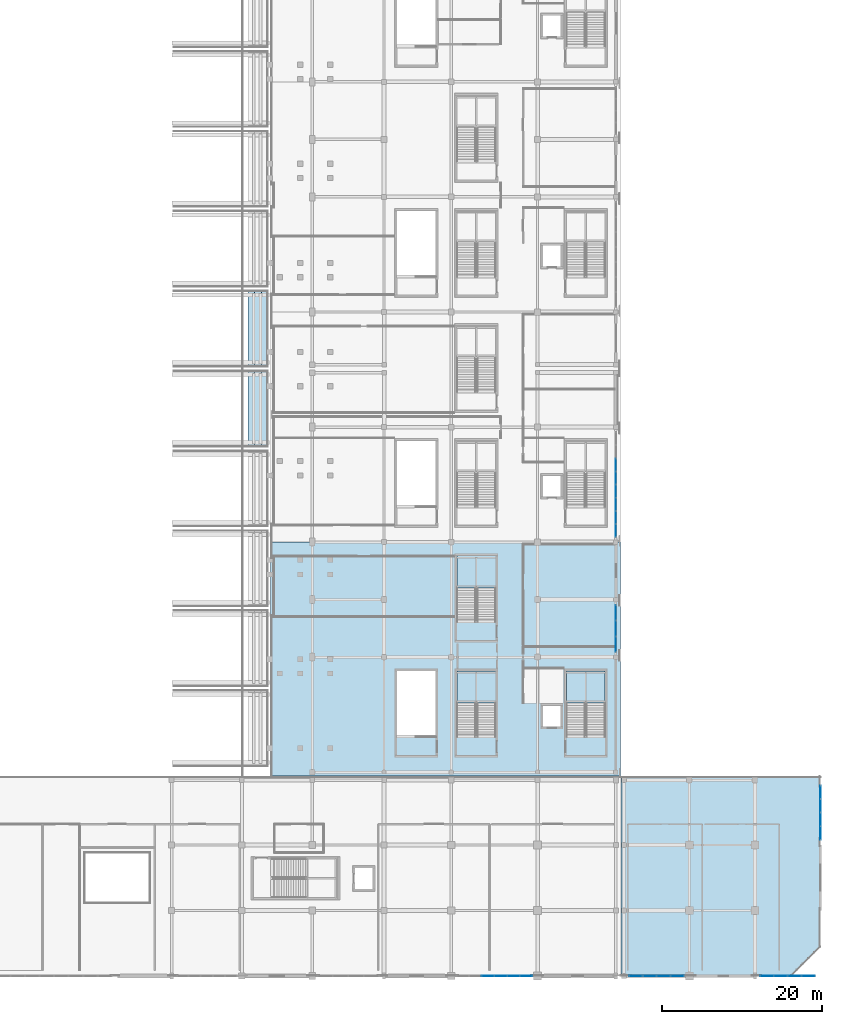
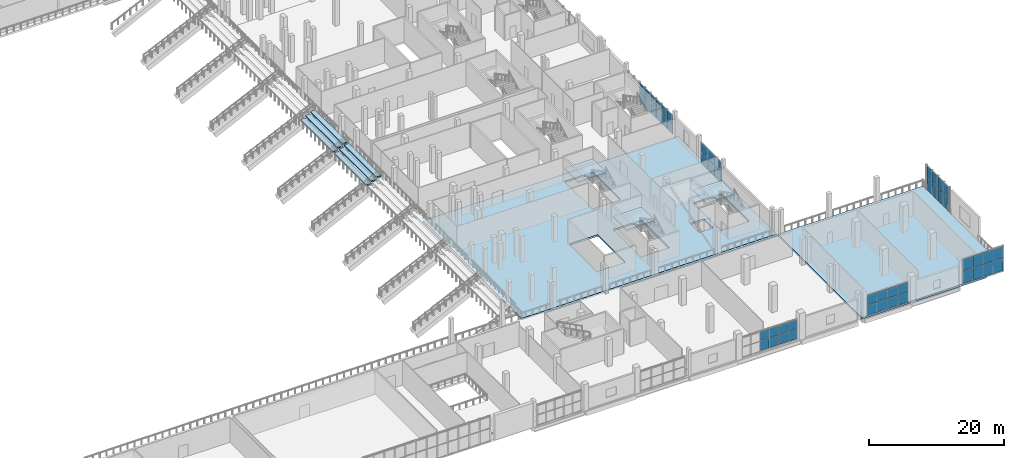
# One storey, part 64 of 129: 50 plates, 11 slabs, 9 elements without a shape of their own.
"""IFC4 building model written with IfcOpenShell, lengths in metres."""

from ifc_helpers import new_model, si_unit, direction, frame, origin, origin_2d, place, context, subcontext, project, spatial, polyline, rectangle, outline, extrude, material, layer, layer_set, type_object, element, aggregate, save


model = new_model("IFC4")

# Units and contexts
model_context = context("Model", 3, precision=1e-05, world=origin(), true_north=direction((0.0, 1.0)))
body_context = subcontext(model_context, "Body", "Model", "MODEL_VIEW")
ifc_project = project(units=[si_unit("LENGTHUNIT", "METRE"), si_unit("AREAUNIT", "SQUARE_METRE"), si_unit("VOLUMEUNIT", "CUBIC_METRE"), si_unit("PLANEANGLEUNIT", "RADIAN"), si_unit("MASSUNIT", "GRAM", prefix="KILO")], contexts=[model_context])

# Site, building, storey
site_placement = place(None, origin())
site = spatial("IfcSite", under=ifc_project, at=site_placement, CompositionType="ELEMENT")
building_placement = place(site_placement, origin())
building = spatial("IfcBuilding", under=site, at=building_placement, Name="Koshinbarg Plaza Stadium", CompositionType="ELEMENT")
storey_placement = place(building_placement, frame((0.0, 0.0, 5.39990234375)))
storey = spatial("IfcBuildingStorey", under=building, at=storey_placement, Name="L01", CompositionType="ELEMENT", Elevation=5.39990234375)

# Curtain wall, plates
ifc_material_1 = material(Name="Thermally broken anodised aluminium and low-E double glazing", Category="aluminium")
curtain_wall_type_1 = type_object("IfcCurtainWallType", Name="CW-SYS-07", PredefinedType="NOTDEFINED", material=ifc_material_1)
curtain_wall_1_placement = place(storey_placement, origin())
curtain_wall_1 = element("IfcCurtainWall", 1, at=curtain_wall_1_placement, inside=storey, type_object=curtain_wall_type_1, Name="L01 unitised curtain wall CW-L01-022", PredefinedType="NOTDEFINED")
ifc_material_2 = material(Name="Solar-control low-E double glazing unit", Category="glass")
ifc_layer_1 = layer(ifc_material_2, 0.028076171875)
ifc_layer_set_1 = layer_set([ifc_layer_1], Name="Solar-control low-E double glazing unit")
plate_type_1 = type_object("IfcPlateType", Name="CW-PNL-28", PredefinedType="CURTAIN_PANEL", material=ifc_layer_set_1)
plate_1_placement = place(storey_placement, frame((218.39990234375, 63.967529296875, 0.06005859375), z_axis=(0.0, 0.0, 1.0), x_axis=(0.0, -1.0, 0.0)))
plate_1 = element("IfcPlate", 2, at=plate_1_placement, type_object=plate_type_1, Name="CW07 panel 3.1", PredefinedType="CURTAIN_PANEL", context=body_context, shape_type="SweptSolid", body=[
    extrude(rectangle(XDim=1.5849609375, YDim=0.028076171875, at=origin_2d()), origin(), (0.0, 0.0, 1.0), 1.771484375),
])
plate_2_placement = place(storey_placement, frame((218.39990234375, 63.967529296875, 1.8916015625), z_axis=(0.0, 0.0, 1.0), x_axis=(0.0, -1.0, 0.0)))
plate_2 = element("IfcPlate", 3, at=plate_2_placement, type_object=plate_type_1, Name="CW07 panel 3.2", PredefinedType="CURTAIN_PANEL", context=body_context, shape_type="SweptSolid", body=[
    extrude(rectangle(XDim=1.5849609375, YDim=0.028076171875, at=origin_2d()), origin(), (0.0, 0.0, 1.0), 1.62841796875),
])
plate_3_placement = place(storey_placement, frame((218.39990234375, 62.322509765625, 0.06005859375), z_axis=(0.0, 0.0, 1.0), x_axis=(0.0, -1.0, 0.0)))
plate_3 = element("IfcPlate", 4, at=plate_3_placement, type_object=plate_type_1, Name="CW07 panel 4.1", PredefinedType="CURTAIN_PANEL", context=body_context, shape_type="SweptSolid", body=[
    extrude(rectangle(XDim=1.5849609375, YDim=0.028076171875, at=origin_2d()), origin(), (0.0, 0.0, 1.0), 1.771484375),
])
plate_4_placement = place(storey_placement, frame((218.39990234375, 62.322509765625, 1.8916015625), z_axis=(0.0, 0.0, 1.0), x_axis=(0.0, -1.0, 0.0)))
plate_4 = element("IfcPlate", 5, at=plate_4_placement, type_object=plate_type_1, Name="CW07 panel 4.2", PredefinedType="CURTAIN_PANEL", context=body_context, shape_type="SweptSolid", body=[
    extrude(rectangle(XDim=1.5849609375, YDim=0.028076171875, at=origin_2d()), origin(), (0.0, 0.0, 1.0), 1.62841796875),
])
plate_5_placement = place(storey_placement, frame((218.39990234375, 60.677490234375, 0.06005859375), z_axis=(0.0, 0.0, 1.0), x_axis=(0.0, -1.0, 0.0)))
plate_5 = element("IfcPlate", 6, at=plate_5_placement, type_object=plate_type_1, Name="CW07 panel 5.1", PredefinedType="CURTAIN_PANEL", context=body_context, shape_type="SweptSolid", body=[
    extrude(rectangle(XDim=1.5849609375, YDim=0.028076171875, at=origin_2d()), origin(), (0.0, 0.0, 1.0), 1.771484375),
])
plate_6_placement = place(storey_placement, frame((218.39990234375, 60.677490234375, 1.8916015625), z_axis=(0.0, 0.0, 1.0), x_axis=(0.0, -1.0, 0.0)))
plate_6 = element("IfcPlate", 7, at=plate_6_placement, type_object=plate_type_1, Name="CW07 panel 5.2", PredefinedType="CURTAIN_PANEL", context=body_context, shape_type="SweptSolid", body=[
    extrude(rectangle(XDim=1.5849609375, YDim=0.028076171875, at=origin_2d()), origin(), (0.0, 0.0, 1.0), 1.62841796875),
])
plate_7_placement = place(storey_placement, frame((218.39990234375, 59.032470703125, 0.06005859375), z_axis=(0.0, 0.0, 1.0), x_axis=(0.0, -1.0, 0.0)))
plate_7 = element("IfcPlate", 8, at=plate_7_placement, type_object=plate_type_1, Name="CW07 panel 6.1", PredefinedType="CURTAIN_PANEL", context=body_context, shape_type="SweptSolid", body=[
    extrude(rectangle(XDim=1.5849609375, YDim=0.028076171875, at=origin_2d()), origin(), (0.0, 0.0, 1.0), 1.771484375),
])
plate_8_placement = place(storey_placement, frame((218.39990234375, 59.032470703125, 1.8916015625), z_axis=(0.0, 0.0, 1.0), x_axis=(0.0, -1.0, 0.0)))
plate_8 = element("IfcPlate", 9, at=plate_8_placement, type_object=plate_type_1, Name="CW07 panel 6.2", PredefinedType="CURTAIN_PANEL", context=body_context, shape_type="SweptSolid", body=[
    extrude(rectangle(XDim=1.5849609375, YDim=0.028076171875, at=origin_2d()), origin(), (0.0, 0.0, 1.0), 1.62841796875),
])
plate_9_placement = place(storey_placement, frame((218.39990234375, 57.387451171875, 0.06005859375), z_axis=(0.0, 0.0, 1.0), x_axis=(0.0, -1.0, 0.0)))
plate_9 = element("IfcPlate", 10, at=plate_9_placement, type_object=plate_type_1, Name="CW07 panel 7.1", PredefinedType="CURTAIN_PANEL", context=body_context, shape_type="SweptSolid", body=[
    extrude(rectangle(XDim=1.5849609375, YDim=0.028076171875, at=origin_2d()), origin(), (0.0, 0.0, 1.0), 1.771484375),
])
plate_10_placement = place(storey_placement, frame((218.39990234375, 57.387451171875, 1.8916015625), z_axis=(0.0, 0.0, 1.0), x_axis=(0.0, -1.0, 0.0)))
plate_10 = element("IfcPlate", 11, at=plate_10_placement, type_object=plate_type_1, Name="CW07 panel 7.2", PredefinedType="CURTAIN_PANEL", context=body_context, shape_type="SweptSolid", body=[
    extrude(rectangle(XDim=1.5849609375, YDim=0.028076171875, at=origin_2d()), origin(), (0.0, 0.0, 1.0), 1.62841796875),
])
plate_11_placement = place(storey_placement, frame((218.39990234375, 55.757568359375, 0.06005859375), z_axis=(0.0, 0.0, 1.0), x_axis=(0.0, -1.0, 0.0)))
plate_11 = element("IfcPlate", 12, at=plate_11_placement, type_object=plate_type_1, Name="CW07 panel 8.1", PredefinedType="CURTAIN_PANEL", context=body_context, shape_type="SweptSolid", body=[
    extrude(rectangle(XDim=1.554931640625, YDim=0.028076171875, at=origin_2d()), origin(), (0.0, 0.0, 1.0), 1.771484375),
])
plate_12_placement = place(storey_placement, frame((218.39990234375, 55.757568359375, 1.8916015625), z_axis=(0.0, 0.0, 1.0), x_axis=(0.0, -1.0, 0.0)))
plate_12 = element("IfcPlate", 13, at=plate_12_placement, type_object=plate_type_1, Name="CW07 panel 8.2", PredefinedType="CURTAIN_PANEL", context=body_context, shape_type="SweptSolid", body=[
    extrude(rectangle(XDim=1.554931640625, YDim=0.028076171875, at=origin_2d()), origin(), (0.0, 0.0, 1.0), 1.62841796875),
])
aggregate(curtain_wall_1, [plate_1, plate_2, plate_3, plate_4, plate_5, plate_6, plate_7, plate_8, plate_9, plate_10, plate_11, plate_12])

curtain_wall_type_2 = type_object("IfcCurtainWallType", Name="CW-SYS-11", PredefinedType="NOTDEFINED", material=ifc_material_1)
curtain_wall_2_placement = place(storey_placement, origin())
curtain_wall_2 = element("IfcCurtainWall", 14, at=curtain_wall_2_placement, inside=storey, type_object=curtain_wall_type_2, Name="L01 unitised curtain wall CW-L01-026", PredefinedType="NOTDEFINED")
plate_13_placement = place(storey_placement, frame((242.4951171875, 0.0, 0.06005859375), z_axis=(0.0, 0.0, 1.0), x_axis=(-1.0, 0.0, 0.0)))
plate_13 = element("IfcPlate", 15, at=plate_13_placement, type_object=plate_type_1, Name="CW11 panel 1.1", PredefinedType="CURTAIN_PANEL", context=body_context, shape_type="SweptSolid", body=[
    extrude(rectangle(XDim=1.64990234375, YDim=0.028076171875, at=origin_2d()), origin(), (0.0, 0.0, 1.0), 2.239501953125),
])
plate_14_placement = place(storey_placement, frame((242.4951171875, 0.0, 2.35986328125), z_axis=(0.0, 0.0, 1.0), x_axis=(-1.0, 0.0, 0.0)))
plate_14 = element("IfcPlate", 16, at=plate_14_placement, type_object=plate_type_1, Name="CW11 panel 1.2", PredefinedType="CURTAIN_PANEL", context=body_context, shape_type="SweptSolid", body=[
    extrude(rectangle(XDim=1.64990234375, YDim=0.028076171875, at=origin_2d()), origin(), (0.0, 0.0, 1.0), 2.060302734375),
])
plate_15_placement = place(storey_placement, frame((240.77001953125, 0.0, 0.06005859375), z_axis=(0.0, 0.0, 1.0), x_axis=(-1.0, 0.0, 0.0)))
plate_15 = element("IfcPlate", 17, at=plate_15_placement, type_object=plate_type_1, Name="CW11 panel 2.1", PredefinedType="CURTAIN_PANEL", context=body_context, shape_type="SweptSolid", body=[
    extrude(rectangle(XDim=1.679931640625, YDim=0.028076171875, at=origin_2d()), origin(), (0.0, 0.0, 1.0), 2.239501953125),
])
plate_16_placement = place(storey_placement, frame((240.77001953125, 0.0, 2.35986328125), z_axis=(0.0, 0.0, 1.0), x_axis=(-1.0, 0.0, 0.0)))
plate_16 = element("IfcPlate", 18, at=plate_16_placement, type_object=plate_type_1, Name="CW11 panel 2.2", PredefinedType="CURTAIN_PANEL", context=body_context, shape_type="SweptSolid", body=[
    extrude(rectangle(XDim=1.679931640625, YDim=0.028076171875, at=origin_2d()), origin(), (0.0, 0.0, 1.0), 2.060302734375),
])
plate_17_placement = place(storey_placement, frame((239.030029296875, 0.0, 0.06005859375), z_axis=(0.0, 0.0, 1.0), x_axis=(-1.0, 0.0, 0.0)))
plate_17 = element("IfcPlate", 19, at=plate_17_placement, type_object=plate_type_1, Name="CW11 panel 3.1", PredefinedType="CURTAIN_PANEL", context=body_context, shape_type="SweptSolid", body=[
    extrude(rectangle(XDim=1.679931640625, YDim=0.028076171875, at=origin_2d()), origin(), (0.0, 0.0, 1.0), 2.239501953125),
])
plate_18_placement = place(storey_placement, frame((239.030029296875, 0.0, 2.35986328125), z_axis=(0.0, 0.0, 1.0), x_axis=(-1.0, 0.0, 0.0)))
plate_18 = element("IfcPlate", 20, at=plate_18_placement, type_object=plate_type_1, Name="CW11 panel 3.2", PredefinedType="CURTAIN_PANEL", context=body_context, shape_type="SweptSolid", body=[
    extrude(rectangle(XDim=1.679931640625, YDim=0.028076171875, at=origin_2d()), origin(), (0.0, 0.0, 1.0), 2.060302734375),
])
plate_19_placement = place(storey_placement, frame((237.304931640625, 0.0, 0.06005859375), z_axis=(0.0, 0.0, 1.0), x_axis=(-1.0, 0.0, 0.0)))
plate_19 = element("IfcPlate", 21, at=plate_19_placement, type_object=plate_type_1, Name="CW11 panel 4.1", PredefinedType="CURTAIN_PANEL", context=body_context, shape_type="SweptSolid", body=[
    extrude(rectangle(XDim=1.64990234375, YDim=0.028076171875, at=origin_2d()), origin(), (0.0, 0.0, 1.0), 2.239501953125),
])
plate_20_placement = place(storey_placement, frame((237.304931640625, 0.0, 2.35986328125), z_axis=(0.0, 0.0, 1.0), x_axis=(-1.0, 0.0, 0.0)))
plate_20 = element("IfcPlate", 22, at=plate_20_placement, type_object=plate_type_1, Name="CW11 panel 4.2", PredefinedType="CURTAIN_PANEL", context=body_context, shape_type="SweptSolid", body=[
    extrude(rectangle(XDim=1.64990234375, YDim=0.028076171875, at=origin_2d()), origin(), (0.0, 0.0, 1.0), 2.060302734375),
])
aggregate(curtain_wall_2, [plate_13, plate_14, plate_15, plate_16, plate_17, plate_18, plate_19, plate_20])

curtain_wall_type_3 = type_object("IfcCurtainWallType", Name="CW-SYS-13", PredefinedType="NOTDEFINED", material=ifc_material_1)
curtain_wall_3_placement = place(storey_placement, origin())
curtain_wall_3 = element("IfcCurtainWall", 23, at=curtain_wall_3_placement, inside=storey, type_object=curtain_wall_type_3, Name="L01 unitised curtain wall CW-L01-028", PredefinedType="NOTDEFINED")
plate_21_placement = place(storey_placement, frame((207.168212890625, 0.0, 0.06005859375), z_axis=(0.0, 0.0, 1.0), x_axis=(-1.0, 0.0, 0.0)))
plate_21 = element("IfcPlate", 24, at=plate_21_placement, type_object=plate_type_1, Name="CW13 panel 1.1", PredefinedType="CURTAIN_PANEL", context=body_context, shape_type="SweptSolid", body=[
    extrude(rectangle(XDim=1.50341796875, YDim=0.028076171875, at=origin_2d()), origin(), (0.0, 0.0, 1.0), 1.771484375),
])
plate_22_placement = place(storey_placement, frame((207.168212890625, 0.0, 1.8916015625), z_axis=(0.0, 0.0, 1.0), x_axis=(-1.0, 0.0, 0.0)))
plate_22 = element("IfcPlate", 25, at=plate_22_placement, type_object=plate_type_1, Name="CW13 panel 1.2", PredefinedType="CURTAIN_PANEL", context=body_context, shape_type="SweptSolid", body=[
    extrude(rectangle(XDim=1.50341796875, YDim=0.028076171875, at=origin_2d()), origin(), (0.0, 0.0, 1.0), 1.62841796875),
])
plate_23_placement = place(storey_placement, frame((205.590087890625, 0.0, 0.06005859375), z_axis=(0.0, 0.0, 1.0), x_axis=(-1.0, 0.0, 0.0)))
plate_23 = element("IfcPlate", 26, at=plate_23_placement, type_object=plate_type_1, Name="CW13 panel 2.1", PredefinedType="CURTAIN_PANEL", context=body_context, shape_type="SweptSolid", body=[
    extrude(rectangle(XDim=1.533447265625, YDim=0.028076171875, at=origin_2d()), origin(), (0.0, 0.0, 1.0), 1.771484375),
])
plate_24_placement = place(storey_placement, frame((205.590087890625, 0.0, 1.8916015625), z_axis=(0.0, 0.0, 1.0), x_axis=(-1.0, 0.0, 0.0)))
plate_24 = element("IfcPlate", 27, at=plate_24_placement, type_object=plate_type_1, Name="CW13 panel 2.2", PredefinedType="CURTAIN_PANEL", context=body_context, shape_type="SweptSolid", body=[
    extrude(rectangle(XDim=1.533447265625, YDim=0.028076171875, at=origin_2d()), origin(), (0.0, 0.0, 1.0), 1.62841796875),
])
plate_25_placement = place(storey_placement, frame((203.99658203125, 0.0, 0.06005859375), z_axis=(0.0, 0.0, 1.0), x_axis=(-1.0, 0.0, 0.0)))
plate_25 = element("IfcPlate", 28, at=plate_25_placement, type_object=plate_type_1, Name="CW13 panel 3.1", PredefinedType="CURTAIN_PANEL", context=body_context, shape_type="SweptSolid", body=[
    extrude(rectangle(XDim=1.533447265625, YDim=0.028076171875, at=origin_2d()), origin(), (0.0, 0.0, 1.0), 1.771484375),
])
plate_26_placement = place(storey_placement, frame((203.99658203125, 0.0, 1.8916015625), z_axis=(0.0, 0.0, 1.0), x_axis=(-1.0, 0.0, 0.0)))
plate_26 = element("IfcPlate", 29, at=plate_26_placement, type_object=plate_type_1, Name="CW13 panel 3.2", PredefinedType="CURTAIN_PANEL", context=body_context, shape_type="SweptSolid", body=[
    extrude(rectangle(XDim=1.533447265625, YDim=0.028076171875, at=origin_2d()), origin(), (0.0, 0.0, 1.0), 1.62841796875),
])
plate_27_placement = place(storey_placement, frame((202.4033203125, 0.0, 0.06005859375), z_axis=(0.0, 0.0, 1.0), x_axis=(-1.0, 0.0, 0.0)))
plate_27 = element("IfcPlate", 30, at=plate_27_placement, type_object=plate_type_1, Name="CW13 panel 4.1", PredefinedType="CURTAIN_PANEL", context=body_context, shape_type="SweptSolid", body=[
    extrude(rectangle(XDim=1.533447265625, YDim=0.028076171875, at=origin_2d()), origin(), (0.0, 0.0, 1.0), 1.771484375),
])
plate_28_placement = place(storey_placement, frame((202.4033203125, 0.0, 1.8916015625), z_axis=(0.0, 0.0, 1.0), x_axis=(-1.0, 0.0, 0.0)))
plate_28 = element("IfcPlate", 31, at=plate_28_placement, type_object=plate_type_1, Name="CW13 panel 4.2", PredefinedType="CURTAIN_PANEL", context=body_context, shape_type="SweptSolid", body=[
    extrude(rectangle(XDim=1.533447265625, YDim=0.028076171875, at=origin_2d()), origin(), (0.0, 0.0, 1.0), 1.62841796875),
])
aggregate(curtain_wall_3, [plate_21, plate_22, plate_23, plate_24, plate_25, plate_26, plate_27, plate_28])

curtain_wall_type_4 = type_object("IfcCurtainWallType", Name="CW-SYS-08", PredefinedType="NOTDEFINED", material=ifc_material_1)
curtain_wall_4_placement = place(storey_placement, origin())
curtain_wall_4 = element("IfcCurtainWall", 32, at=curtain_wall_4_placement, inside=storey, type_object=curtain_wall_type_4, Name="L01 unitised curtain wall CW-L01-023", PredefinedType="NOTDEFINED")
ifc_material_3 = material(Name="Acoustic solar-control double glazing unit", Category="glass")
ifc_layer_2 = layer(ifc_material_3, 0.031982421875)
ifc_layer_set_2 = layer_set([ifc_layer_2], Name="Acoustic solar-control double glazing unit")
plate_type_2 = type_object("IfcPlateType", Name="CW-PNL-32", PredefinedType="CURTAIN_PANEL", material=ifc_layer_set_2)
plate_29_placement = place(storey_placement, frame((218.39990234375, 45.4716796875, 0.06005859375), z_axis=(0.0, 0.0, 1.0), x_axis=(0.0, -1.0, 0.0)))
plate_29 = element("IfcPlate", 33, at=plate_29_placement, type_object=plate_type_2, Name="CW08 panel 1.1", PredefinedType="CURTAIN_PANEL", context=body_context, shape_type="SweptSolid", body=[
    extrude(rectangle(XDim=1.896728515625, YDim=0.031982421875, at=origin_2d()), origin(), (0.0, 0.0, 1.0), 1.927490234375),
])
plate_30_placement = place(storey_placement, frame((218.39990234375, 45.4716796875, 2.047607421875), z_axis=(0.0, 0.0, 1.0), x_axis=(0.0, -1.0, 0.0)))
plate_30 = element("IfcPlate", 34, at=plate_30_placement, type_object=plate_type_2, Name="CW08 panel 1.2", PredefinedType="CURTAIN_PANEL", context=body_context, shape_type="SweptSolid", body=[
    extrude(rectangle(XDim=1.896728515625, YDim=0.031982421875, at=origin_2d()), origin(), (0.0, 0.0, 1.0), 1.7724609375),
])
plate_31_placement = place(storey_placement, frame((218.39990234375, 43.5, 0.06005859375), z_axis=(0.0, 0.0, 1.0), x_axis=(0.0, -1.0, 0.0)))
plate_31 = element("IfcPlate", 35, at=plate_31_placement, type_object=plate_type_2, Name="CW08 panel 2.1", PredefinedType="CURTAIN_PANEL", context=body_context, shape_type="SweptSolid", body=[
    extrude(rectangle(XDim=1.9267578125, YDim=0.031982421875, at=origin_2d()), origin(), (0.0, 0.0, 1.0), 1.927490234375),
])
plate_32_placement = place(storey_placement, frame((218.39990234375, 43.5, 2.047607421875), z_axis=(0.0, 0.0, 1.0), x_axis=(0.0, -1.0, 0.0)))
plate_32 = element("IfcPlate", 36, at=plate_32_placement, type_object=plate_type_2, Name="CW08 panel 2.2", PredefinedType="CURTAIN_PANEL", context=body_context, shape_type="SweptSolid", body=[
    extrude(rectangle(XDim=1.9267578125, YDim=0.031982421875, at=origin_2d()), origin(), (0.0, 0.0, 1.0), 1.7724609375),
])
plate_33_placement = place(storey_placement, frame((218.39990234375, 41.5283203125, 0.06005859375), z_axis=(0.0, 0.0, 1.0), x_axis=(0.0, -1.0, 0.0)))
plate_33 = element("IfcPlate", 37, at=plate_33_placement, type_object=plate_type_2, Name="CW08 panel 3.1", PredefinedType="CURTAIN_PANEL", context=body_context, shape_type="SweptSolid", body=[
    extrude(rectangle(XDim=1.896728515625, YDim=0.031982421875, at=origin_2d()), origin(), (0.0, 0.0, 1.0), 1.927490234375),
])
plate_34_placement = place(storey_placement, frame((218.39990234375, 41.5283203125, 2.047607421875), z_axis=(0.0, 0.0, 1.0), x_axis=(0.0, -1.0, 0.0)))
plate_34 = element("IfcPlate", 38, at=plate_34_placement, type_object=plate_type_2, Name="CW08 panel 3.2", PredefinedType="CURTAIN_PANEL", context=body_context, shape_type="SweptSolid", body=[
    extrude(rectangle(XDim=1.896728515625, YDim=0.031982421875, at=origin_2d()), origin(), (0.0, 0.0, 1.0), 1.7724609375),
])
aggregate(curtain_wall_4, [plate_29, plate_30, plate_31, plate_32, plate_33, plate_34])

curtain_wall_type_5 = type_object("IfcCurtainWallType", Name="CW-SYS-10", PredefinedType="NOTDEFINED", material=ifc_material_1)
curtain_wall_5_placement = place(storey_placement, origin())
curtain_wall_5 = element("IfcCurtainWall", 39, at=curtain_wall_5_placement, inside=storey, type_object=curtain_wall_type_5, Name="L01 unitised curtain wall CW-L01-025", PredefinedType="NOTDEFINED")
plate_35_placement = place(storey_placement, frame((244.0, 23.007568359375, 0.06005859375), z_axis=(0.0, 0.0, 1.0), x_axis=(0.0, -1.0, 0.0)))
plate_35 = element("IfcPlate", 40, at=plate_35_placement, type_object=plate_type_2, Name="CW10 panel 1.1", PredefinedType="CURTAIN_PANEL", context=body_context, shape_type="SweptSolid", body=[
    extrude(rectangle(XDim=1.625, YDim=0.031982421875, at=origin_2d()), origin(), (0.0, 0.0, 1.0), 2.239501953125),
])
plate_36_placement = place(storey_placement, frame((244.0, 23.007568359375, 2.35986328125), z_axis=(0.0, 0.0, 1.0), x_axis=(0.0, -1.0, 0.0)))
plate_36 = element("IfcPlate", 41, at=plate_36_placement, type_object=plate_type_2, Name="CW10 panel 1.2", PredefinedType="CURTAIN_PANEL", context=body_context, shape_type="SweptSolid", body=[
    extrude(rectangle(XDim=1.625, YDim=0.031982421875, at=origin_2d()), origin(), (0.0, 0.0, 1.0), 2.060302734375),
])
plate_37_placement = place(storey_placement, frame((244.0, 21.3076171875, 0.06005859375), z_axis=(0.0, 0.0, 1.0), x_axis=(0.0, -1.0, 0.0)))
plate_37 = element("IfcPlate", 42, at=plate_37_placement, type_object=plate_type_2, Name="CW10 panel 2.1", PredefinedType="CURTAIN_PANEL", context=body_context, shape_type="SweptSolid", body=[
    extrude(rectangle(XDim=1.655029296875, YDim=0.031982421875, at=origin_2d()), origin(), (0.0, 0.0, 1.0), 2.239501953125),
])
plate_38_placement = place(storey_placement, frame((244.0, 21.3076171875, 2.35986328125), z_axis=(0.0, 0.0, 1.0), x_axis=(0.0, -1.0, 0.0)))
plate_38 = element("IfcPlate", 43, at=plate_38_placement, type_object=plate_type_2, Name="CW10 panel 2.2", PredefinedType="CURTAIN_PANEL", context=body_context, shape_type="SweptSolid", body=[
    extrude(rectangle(XDim=1.655029296875, YDim=0.031982421875, at=origin_2d()), origin(), (0.0, 0.0, 1.0), 2.060302734375),
])
plate_39_placement = place(storey_placement, frame((244.0, 19.592529296875, 0.06005859375), z_axis=(0.0, 0.0, 1.0), x_axis=(0.0, -1.0, 0.0)))
plate_39 = element("IfcPlate", 44, at=plate_39_placement, type_object=plate_type_2, Name="CW10 panel 3.1", PredefinedType="CURTAIN_PANEL", context=body_context, shape_type="SweptSolid", body=[
    extrude(rectangle(XDim=1.655029296875, YDim=0.031982421875, at=origin_2d()), origin(), (0.0, 0.0, 1.0), 2.239501953125),
])
plate_40_placement = place(storey_placement, frame((244.0, 19.592529296875, 2.35986328125), z_axis=(0.0, 0.0, 1.0), x_axis=(0.0, -1.0, 0.0)))
plate_40 = element("IfcPlate", 45, at=plate_40_placement, type_object=plate_type_2, Name="CW10 panel 3.2", PredefinedType="CURTAIN_PANEL", context=body_context, shape_type="SweptSolid", body=[
    extrude(rectangle(XDim=1.655029296875, YDim=0.031982421875, at=origin_2d()), origin(), (0.0, 0.0, 1.0), 2.060302734375),
])
plate_41_placement = place(storey_placement, frame((244.0, 17.892578125, 0.06005859375), z_axis=(0.0, 0.0, 1.0), x_axis=(0.0, -1.0, 0.0)))
plate_41 = element("IfcPlate", 46, at=plate_41_placement, type_object=plate_type_2, Name="CW10 panel 4.1", PredefinedType="CURTAIN_PANEL", context=body_context, shape_type="SweptSolid", body=[
    extrude(rectangle(XDim=1.625, YDim=0.031982421875, at=origin_2d()), origin(), (0.0, 0.0, 1.0), 2.239501953125),
])
plate_42_placement = place(storey_placement, frame((244.0, 17.892578125, 2.35986328125), z_axis=(0.0, 0.0, 1.0), x_axis=(0.0, -1.0, 0.0)))
plate_42 = element("IfcPlate", 47, at=plate_42_placement, type_object=plate_type_2, Name="CW10 panel 4.2", PredefinedType="CURTAIN_PANEL", context=body_context, shape_type="SweptSolid", body=[
    extrude(rectangle(XDim=1.625, YDim=0.031982421875, at=origin_2d()), origin(), (0.0, 0.0, 1.0), 2.060302734375),
])
aggregate(curtain_wall_5, [plate_35, plate_36, plate_37, plate_38, plate_39, plate_40, plate_41, plate_42])

curtain_wall_type_6 = type_object("IfcCurtainWallType", Name="CW-SYS-12", PredefinedType="NOTDEFINED", material=ifc_material_1)
curtain_wall_6_placement = place(storey_placement, origin())
curtain_wall_6 = element("IfcCurtainWall", 48, at=curtain_wall_6_placement, inside=storey, type_object=curtain_wall_type_6, Name="L01 unitised curtain wall CW-L01-027", PredefinedType="NOTDEFINED")
plate_43_placement = place(storey_placement, frame((226.094970703125, 0.0, 0.06005859375), z_axis=(0.0, 0.0, 1.0), x_axis=(-1.0, 0.0, 0.0)))
plate_43 = element("IfcPlate", 49, at=plate_43_placement, type_object=plate_type_2, Name="CW12 panel 1.1", PredefinedType="CURTAIN_PANEL", context=body_context, shape_type="SweptSolid", body=[
    extrude(rectangle(XDim=1.64990234375, YDim=0.031982421875, at=origin_2d()), origin(), (0.0, 0.0, 1.0), 1.823486328125),
])
plate_44_placement = place(storey_placement, frame((226.094970703125, 0.0, 1.94384765625), z_axis=(0.0, 0.0, 1.0), x_axis=(-1.0, 0.0, 0.0)))
plate_44 = element("IfcPlate", 50, at=plate_44_placement, type_object=plate_type_2, Name="CW12 panel 1.2", PredefinedType="CURTAIN_PANEL", context=body_context, shape_type="SweptSolid", body=[
    extrude(rectangle(XDim=1.64990234375, YDim=0.031982421875, at=origin_2d()), origin(), (0.0, 0.0, 1.0), 1.676513671875),
])
plate_45_placement = place(storey_placement, frame((224.3701171875, 0.0, 0.06005859375), z_axis=(0.0, 0.0, 1.0), x_axis=(-1.0, 0.0, 0.0)))
plate_45 = element("IfcPlate", 51, at=plate_45_placement, type_object=plate_type_2, Name="CW12 panel 2.1", PredefinedType="CURTAIN_PANEL", context=body_context, shape_type="SweptSolid", body=[
    extrude(rectangle(XDim=1.679931640625, YDim=0.031982421875, at=origin_2d()), origin(), (0.0, 0.0, 1.0), 1.823486328125),
])
plate_46_placement = place(storey_placement, frame((224.3701171875, 0.0, 1.94384765625), z_axis=(0.0, 0.0, 1.0), x_axis=(-1.0, 0.0, 0.0)))
plate_46 = element("IfcPlate", 52, at=plate_46_placement, type_object=plate_type_2, Name="CW12 panel 2.2", PredefinedType="CURTAIN_PANEL", context=body_context, shape_type="SweptSolid", body=[
    extrude(rectangle(XDim=1.679931640625, YDim=0.031982421875, at=origin_2d()), origin(), (0.0, 0.0, 1.0), 1.676513671875),
])
plate_47_placement = place(storey_placement, frame((222.6298828125, 0.0, 0.06005859375), z_axis=(0.0, 0.0, 1.0), x_axis=(-1.0, 0.0, 0.0)))
plate_47 = element("IfcPlate", 53, at=plate_47_placement, type_object=plate_type_2, Name="CW12 panel 3.1", PredefinedType="CURTAIN_PANEL", context=body_context, shape_type="SweptSolid", body=[
    extrude(rectangle(XDim=1.679931640625, YDim=0.031982421875, at=origin_2d()), origin(), (0.0, 0.0, 1.0), 1.823486328125),
])
plate_48_placement = place(storey_placement, frame((222.6298828125, 0.0, 1.94384765625), z_axis=(0.0, 0.0, 1.0), x_axis=(-1.0, 0.0, 0.0)))
plate_48 = element("IfcPlate", 54, at=plate_48_placement, type_object=plate_type_2, Name="CW12 panel 3.2", PredefinedType="CURTAIN_PANEL", context=body_context, shape_type="SweptSolid", body=[
    extrude(rectangle(XDim=1.679931640625, YDim=0.031982421875, at=origin_2d()), origin(), (0.0, 0.0, 1.0), 1.676513671875),
])
plate_49_placement = place(storey_placement, frame((220.905029296875, 0.0, 0.06005859375), z_axis=(0.0, 0.0, 1.0), x_axis=(-1.0, 0.0, 0.0)))
plate_49 = element("IfcPlate", 55, at=plate_49_placement, type_object=plate_type_2, Name="CW12 panel 4.1", PredefinedType="CURTAIN_PANEL", context=body_context, shape_type="SweptSolid", body=[
    extrude(rectangle(XDim=1.64990234375, YDim=0.031982421875, at=origin_2d()), origin(), (0.0, 0.0, 1.0), 1.823486328125),
])
plate_50_placement = place(storey_placement, frame((220.905029296875, 0.0, 1.94384765625), z_axis=(0.0, 0.0, 1.0), x_axis=(-1.0, 0.0, 0.0)))
plate_50 = element("IfcPlate", 56, at=plate_50_placement, type_object=plate_type_2, Name="CW12 panel 4.2", PredefinedType="CURTAIN_PANEL", context=body_context, shape_type="SweptSolid", body=[
    extrude(rectangle(XDim=1.64990234375, YDim=0.031982421875, at=origin_2d()), origin(), (0.0, 0.0, 1.0), 1.676513671875),
])
aggregate(curtain_wall_6, [plate_43, plate_44, plate_45, plate_46, plate_47, plate_48, plate_49, plate_50])

# Slabs
ifc_material_4 = material(Name="Concrete C35/45", Category="concrete")
ifc_layer_3 = layer(ifc_material_4, 0.320068359375)
ifc_layer_set_3 = layer_set([ifc_layer_3], Name="Concrete C35/45")
slab_type_1 = type_object("IfcSlabType", Name="SL-FLR-320", PredefinedType="FLOOR", material=ifc_layer_set_3)
slab_1_placement = place(storey_placement, frame((0.0, 0.0, -0.31982421875)))
element("IfcSlab", 57, at=slab_1_placement, inside=storey, type_object=slab_type_1, Name="L01 V2 structural slab 5", PredefinedType="FLOOR", context=body_context, shape_type="SweptSolid", body=[
    extrude(outline(polyline([(175.199951171875, 25.044921875), (218.955078125, 25.044921875), (218.955078125, 54.300048828125), (175.199951171875, 54.300048828125), (175.199951171875, 25.044921875)]), holes=[polyline([(217.070068359375, 29.9599609375), (217.070068359375, 38.199951171875), (212.199951171875, 38.199951171875), (212.199951171875, 29.9599609375), (217.070068359375, 29.9599609375)]), polyline([(209.25, 31.14990234375), (211.550048828125, 31.14990234375), (211.550048828125, 33.85009765625), (209.25, 33.85009765625), (209.25, 31.14990234375)]), polyline([(203.3701171875, 29.9599609375), (203.3701171875, 38.199951171875), (198.5, 38.199951171875), (198.5, 29.9599609375), (203.3701171875, 29.9599609375)]), polyline([(203.3701171875, 44.360107421875), (203.3701171875, 52.60009765625), (198.5, 52.60009765625), (198.5, 44.360107421875), (203.3701171875, 44.360107421875)]), polyline([(195.8701171875, 29.9599609375), (195.8701171875, 38.199951171875), (191.0, 38.199951171875), (191.0, 29.9599609375), (195.8701171875, 29.9599609375)])]), origin(), (0.0, 0.0, 1.0), 0.31982421875),
])
slab_2_placement = place(storey_placement, frame((0.0, 0.0, -0.31982421875)))
element("IfcSlab", 58, at=slab_2_placement, inside=storey, type_object=slab_type_1, Name="L01 V4 structural slab 18", PredefinedType="FLOOR", context=body_context, shape_type="SweptSolid", body=[
    extrude(outline(polyline([(219.044921875, 0.0), (240.39990234375, 0.0), (244.0, 3.60009765625), (244.0, 24.955078125), (219.044921875, 24.955078125), (219.044921875, 0.0)])), origin(), (0.0, 0.0, 1.0), 0.31982421875),
])

# Stair, slab
stair_type_1 = type_object("IfcStairType", Name="ST-CORE-48", PredefinedType="HALF_TURN_STAIR", material=ifc_material_4)
stair_1_placement = place(storey_placement, origin())
stair_1 = element("IfcStair", 59, at=stair_1_placement, inside=storey, type_object=stair_type_1, Name="L01 Protected Exit Stair C07", PredefinedType="HALF_TURN_STAIR")
ifc_layer_4 = layer(ifc_material_4, 0.320068359375)
ifc_layer_set_4 = layer_set([ifc_layer_4], Name="Concrete C35/45")
slab_type_2 = type_object("IfcSlabType", Name="SL-STLAND-280", PredefinedType="LANDING", material=ifc_layer_set_4)
slab_3_placement = place(storey_placement, frame((0.0, 0.0, 2.080078125)))
slab_3 = element("IfcSlab", 60, at=slab_3_placement, type_object=slab_type_2, Name="L01 Protected Exit Stair C07 landing 038", PredefinedType="LANDING", context=body_context, shape_type="SweptSolid", body=[
    extrude(outline(polyline([(217.070068359375, 34.159912109375), (217.070068359375, 38.199951171875), (212.199951171875, 38.199951171875), (212.199951171875, 34.159912109375), (217.070068359375, 34.159912109375)])), origin(), (0.0, 0.0, 1.0), 0.320068359375),
])
aggregate(stair_1, [slab_3])

stair_type_2 = type_object("IfcStairType", Name="ST-VOM-48", PredefinedType="HALF_TURN_STAIR", material=ifc_material_4)
stair_2_placement = place(storey_placement, origin())
stair_2 = element("IfcStair", 61, at=stair_2_placement, inside=storey, type_object=stair_type_2, Name="L01 Upper Vomitory Stair VX07", PredefinedType="HALF_TURN_STAIR")
slab_4_placement = place(storey_placement, frame((0.0, 0.0, 2.080078125)))
slab_4 = element("IfcSlab", 62, at=slab_4_placement, type_object=slab_type_2, Name="L01 Upper Vomitory Stair VX07 landing 094", PredefinedType="LANDING", context=body_context, shape_type="SweptSolid", body=[
    extrude(outline(polyline([(203.3701171875, 34.159912109375), (203.3701171875, 38.199951171875), (198.5, 38.199951171875), (198.5, 34.159912109375), (203.3701171875, 34.159912109375)])), origin(), (0.0, 0.0, 1.0), 0.320068359375),
])
aggregate(stair_2, [slab_4])

stair_3_placement = place(storey_placement, origin())
stair_3 = element("IfcStair", 63, at=stair_3_placement, inside=storey, type_object=stair_type_2, Name="L01 Upper Vomitory Stair VX08", PredefinedType="HALF_TURN_STAIR")
slab_5_placement = place(storey_placement, frame((0.0, 0.0, 2.080078125)))
slab_5 = element("IfcSlab", 64, at=slab_5_placement, type_object=slab_type_2, Name="L01 Upper Vomitory Stair VX08 landing 097", PredefinedType="LANDING", context=body_context, shape_type="SweptSolid", body=[
    extrude(outline(polyline([(203.3701171875, 48.56005859375), (203.3701171875, 52.60009765625), (198.5, 52.60009765625), (198.5, 48.56005859375), (203.3701171875, 48.56005859375)])), origin(), (0.0, 0.0, 1.0), 0.320068359375),
])
aggregate(stair_3, [slab_5])

# Slabs
ifc_material_5 = material(Name="Precast concrete C40/50", Category="concrete")
ifc_layer_5 = layer(ifc_material_5, 0.219970703125)
ifc_layer_set_5 = layer_set([ifc_layer_5], Name="Precast concrete C40/50")
slab_type_3 = type_object("IfcSlabType", Name="SL-TIER-LT", PredefinedType="USERDEFINED", material=ifc_layer_set_5)
slab_6_placement = place(storey_placement, frame((0.0, 0.0, 0.02001953125)))
element("IfcSlab", 65, at=slab_6_placement, inside=storey, type_object=slab_type_3, Name="Stand lower seating tier LT-E05 row 12", ObjectType="SEATING TIER", PredefinedType="USERDEFINED", context=body_context, shape_type="SweptSolid", body=[
    extrude(outline(polyline([(172.35009765625, 66.199951171875), (173.199951171875, 66.199951171875), (173.199951171875, 75.800048828125), (172.35009765625, 75.800048828125), (172.35009765625, 66.199951171875)])), origin(), (0.0, 0.0, 1.0), 0.219970703125),
])
slab_7_placement = place(storey_placement, frame((0.0, 0.0, 0.440185546875)))
element("IfcSlab", 66, at=slab_7_placement, inside=storey, type_object=slab_type_3, Name="Stand lower seating tier LT-E05 row 13", ObjectType="SEATING TIER", PredefinedType="USERDEFINED", context=body_context, shape_type="SweptSolid", body=[
    extrude(outline(polyline([(173.199951171875, 66.199951171875), (174.050048828125, 66.199951171875), (174.050048828125, 75.800048828125), (173.199951171875, 75.800048828125), (173.199951171875, 66.199951171875)])), origin(), (0.0, 0.0, 1.0), 0.219970703125),
])
slab_8_placement = place(storey_placement, frame((0.0, 0.0, 0.860107421875)))
element("IfcSlab", 67, at=slab_8_placement, inside=storey, type_object=slab_type_3, Name="Stand lower seating tier LT-E05 row 14", ObjectType="SEATING TIER", PredefinedType="USERDEFINED", context=body_context, shape_type="SweptSolid", body=[
    extrude(outline(polyline([(174.050048828125, 66.199951171875), (174.89990234375, 66.199951171875), (174.89990234375, 75.800048828125), (174.050048828125, 75.800048828125), (174.050048828125, 66.199951171875)])), origin(), (0.0, 0.0, 1.0), 0.219970703125),
])
slab_9_placement = place(storey_placement, frame((0.0, 0.0, 0.02001953125)))
element("IfcSlab", 68, at=slab_9_placement, inside=storey, type_object=slab_type_3, Name="Stand lower seating tier LT-E06 row 12", ObjectType="SEATING TIER", PredefinedType="USERDEFINED", context=body_context, shape_type="SweptSolid", body=[
    extrude(outline(polyline([(172.35009765625, 76.199951171875), (173.199951171875, 76.199951171875), (173.199951171875, 85.800048828125), (172.35009765625, 85.800048828125), (172.35009765625, 76.199951171875)])), origin(), (0.0, 0.0, 1.0), 0.219970703125),
])
slab_10_placement = place(storey_placement, frame((0.0, 0.0, 0.440185546875)))
element("IfcSlab", 69, at=slab_10_placement, inside=storey, type_object=slab_type_3, Name="Stand lower seating tier LT-E06 row 13", ObjectType="SEATING TIER", PredefinedType="USERDEFINED", context=body_context, shape_type="SweptSolid", body=[
    extrude(outline(polyline([(173.199951171875, 76.199951171875), (174.050048828125, 76.199951171875), (174.050048828125, 85.800048828125), (173.199951171875, 85.800048828125), (173.199951171875, 76.199951171875)])), origin(), (0.0, 0.0, 1.0), 0.219970703125),
])
slab_11_placement = place(storey_placement, frame((0.0, 0.0, 0.860107421875)))
element("IfcSlab", 70, at=slab_11_placement, inside=storey, type_object=slab_type_3, Name="Stand lower seating tier LT-E06 row 14", ObjectType="SEATING TIER", PredefinedType="USERDEFINED", context=body_context, shape_type="SweptSolid", body=[
    extrude(outline(polyline([(174.050048828125, 76.199951171875), (174.89990234375, 76.199951171875), (174.89990234375, 85.800048828125), (174.050048828125, 85.800048828125), (174.050048828125, 76.199951171875)])), origin(), (0.0, 0.0, 1.0), 0.219970703125),
])

save(model, "model.ifc")
